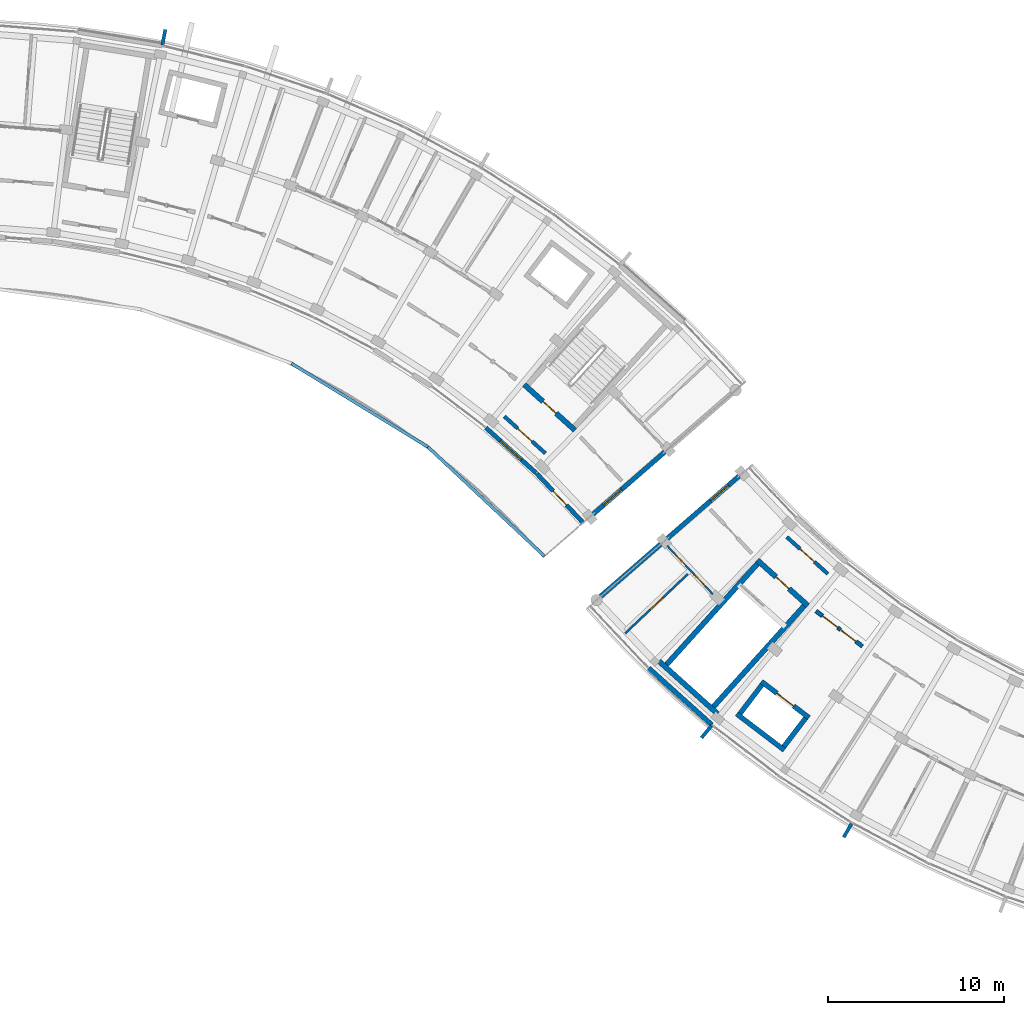
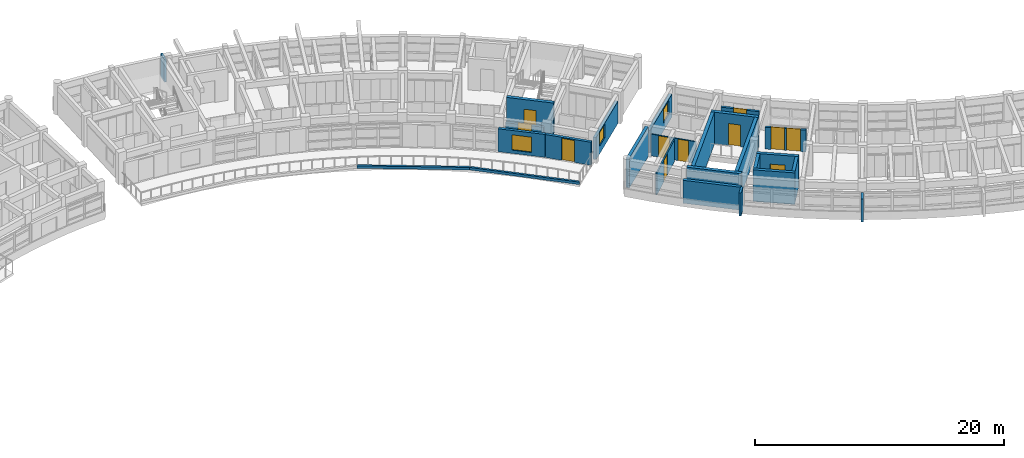
# One storey, part 24 of 38: 25 walls, 11 doors, 3 windows, 14 openings.
"""IFC4 building model written with IfcOpenShell, lengths in metres."""

from ifc_helpers import new_model, si_unit, direction, frame, frame_2d, origin, place, context, subcontext, project, spatial, rectangle, extrude, material, layer, layer_set, type_object, element, fill, save


model = new_model("IFC4")

# Units and contexts
model_context = context("Model", 3, precision=1e-05, world=origin(), true_north=direction((0.0, 1.0)))
body_context = subcontext(model_context, "Body", "Model", "MODEL_VIEW")
ifc_project = project(units=[si_unit("LENGTHUNIT", "METRE"), si_unit("AREAUNIT", "SQUARE_METRE"), si_unit("VOLUMEUNIT", "CUBIC_METRE"), si_unit("PLANEANGLEUNIT", "RADIAN"), si_unit("MASSUNIT", "GRAM", prefix="KILO")], contexts=[model_context])

# Site, building, storey
site_placement = place(None, origin())
site = spatial("IfcSite", under=ifc_project, at=site_placement, CompositionType="ELEMENT")
building_placement = place(site_placement, origin())
building = spatial("IfcBuilding", under=site, at=building_placement, Name="Zimvara Arc Housing Community", CompositionType="ELEMENT")
storey_placement = place(building_placement, frame((0.0, 0.0, 29.800048828125)))
storey = spatial("IfcBuildingStorey", under=building, at=storey_placement, Name="L09", CompositionType="ELEMENT", Elevation=29.800048828125)

# Wall, opening, window
ifc_material_1 = material(Name="Board-Marked Fair-Faced Concrete C35/45", Category="concrete")
ifc_layer_1 = layer(ifc_material_1, 0.2548828125)
ifc_layer_set_1 = layer_set([ifc_layer_1], Name="Board-Marked Fair-Faced Concrete C35/45")
wall_type_1 = type_object("IfcWallType", Name="EWL-CONC-255", PredefinedType="SOLIDWALL", material=ifc_layer_set_1)
wall_1_placement = place(storey_placement, frame((81.346923828125, 76.095703125, 0.0), z_axis=(0.0, 0.0, 1.0), x_axis=(0.754709658894, 0.65605893849, 0.0)))
wall_1 = element("IfcWall", 1, at=wall_1_placement, inside=storey, type_object=wall_type_1, Name="ewall:blkB:L09:gN", PredefinedType="SOLIDWALL", context=body_context, shape_type="SweptSolid", body=[
    extrude(rectangle(XDim=5.39990234375, YDim=0.2548828125, at=frame_2d((2.699951171875, 0.0))), origin(), (0.0, 0.0, 1.0), 2.179931640625),
])
opening_1_placement = place(wall_1_placement, frame((0.7900390625, 0.0, 0.75)))
opening_1 = element("IfcOpeningElement", 2, at=opening_1_placement, cuts=wall_1, Name="Opening W12", PredefinedType="OPENING", context=body_context, shape_type="SweptSolid", body=[
    extrude(rectangle(XDim=1.35009765625, YDim=1.35009765625, at=frame_2d((0.675048828125, 0.675048828125))), frame((0.0, 0.137451171875, 0.0), z_axis=(0.0, -1.0, 0.0), x_axis=(1.0, 0.0, 0.0)), (0.0, 0.0, 1.0), 0.27490234375),
])
ifc_material_2 = material(Name="Solar Control Low-E Double Glazing", Category="glass")
window_type_1 = type_object("IfcWindowType", Name="WIN-RES-1350x1350", PartitioningType="DOUBLE_PANEL_VERTICAL", PredefinedType="WINDOW", material=ifc_material_2)
window_1_placement = place(opening_1_placement, origin())
window_1 = element("IfcWindow", 3, at=window_1_placement, inside=storey, type_object=window_type_1, Name="win:blkB:L09:gN:w", OverallHeight=1.35009765625, OverallWidth=1.35009765625, PartitioningType="DOUBLE_PANEL_VERTICAL", PredefinedType="WINDOW", context=body_context, shape_type="SweptSolid", body=[
    extrude(rectangle(XDim=1.35009765625, YDim=1.35009765625, at=frame_2d((0.675048828125, 0.675048828125))), frame((0.0, 0.030029296875, 0.0), z_axis=(0.0, -1.0, 0.0), x_axis=(1.0, 0.0, 0.0)), (0.0, 0.0, 1.0), 0.06005859375),
])
fill(opening_1, window_1)

wall_2_placement = place(storey_placement, frame((89.63330078125, 78.26416015625, 0.0), z_axis=(0.0, 0.0, 1.0), x_axis=(-0.754709658894, -0.65605893849, 0.0)))
wall_2 = element("IfcWall", 4, at=wall_2_placement, inside=storey, type_object=wall_type_1, Name="ewall:blkC:L09:g0", PredefinedType="SOLIDWALL", context=body_context, shape_type="SweptSolid", body=[
    extrude(rectangle(XDim=5.39990234375, YDim=0.2548828125, at=frame_2d((2.699951171875, 0.0))), origin(), (0.0, 0.0, 1.0), 2.239990234375),
])
opening_2_placement = place(wall_2_placement, frame((0.7900390625, 0.0, 0.75)))
opening_2 = element("IfcOpeningElement", 5, at=opening_2_placement, cuts=wall_2, Name="Opening W12", PredefinedType="OPENING", context=body_context, shape_type="SweptSolid", body=[
    extrude(rectangle(XDim=1.35009765625, YDim=1.35009765625, at=frame_2d((0.675048828125, 0.675048828125))), frame((0.0, 0.137451171875, 0.0), z_axis=(0.0, -1.0, 0.0), x_axis=(1.0, 0.0, 0.0)), (0.0, 0.0, 1.0), 0.27490234375),
])
window_2_placement = place(opening_2_placement, origin())
window_2 = element("IfcWindow", 6, at=window_2_placement, inside=storey, type_object=window_type_1, Name="win:blkC:L09:g0:w", OverallHeight=1.35009765625, OverallWidth=1.35009765625, PartitioningType="DOUBLE_PANEL_VERTICAL", PredefinedType="WINDOW", context=body_context, shape_type="SweptSolid", body=[
    extrude(rectangle(XDim=1.35009765625, YDim=1.35009765625, at=frame_2d((0.675048828125, 0.675048828125))), frame((0.0, 0.030029296875, 0.0), z_axis=(0.0, -1.0, 0.0), x_axis=(1.0, 0.0, 0.0)), (0.0, 0.0, 1.0), 0.06005859375),
])
fill(opening_2, window_2)

# Walls
ifc_material_3 = material(Name="Board-Marked Fair-Faced Concrete C35/45", Category="concrete")
ifc_layer_2 = layer(ifc_material_3, 0.179931640625)
ifc_layer_set_2 = layer_set([ifc_layer_2], Name="Board-Marked Fair-Faced Concrete C35/45")
wall_type_2 = type_object("IfcWallType", Name="EWL-PARA-180", PredefinedType="PARAPET", material=ifc_layer_set_2)
wall_3_placement = place(storey_placement, frame((64.236572265625, 84.649658203125, 0.0), z_axis=(0.0, 0.0, 1.0), x_axis=(0.853089592587, -0.521764455496, 0.0)))
element("IfcWall", 7, at=wall_3_placement, inside=storey, type_object=wall_type_2, Name="parapet:blkB:L09:p10", PredefinedType="PARAPET", context=body_context, shape_type="SweptSolid", body=[
    extrude(rectangle(XDim=9.0751953125, YDim=0.179931640625, at=frame_2d((4.53759765625, 0.0))), origin(), (0.0, 0.0, 1.0), 0.25),
])
wall_4_placement = place(storey_placement, frame((71.978515625, 79.91455078125, 0.0), z_axis=(0.0, 0.0, 1.0), x_axis=(0.729564048979, -0.68391249326, 0.0)))
element("IfcWall", 8, at=wall_4_placement, inside=storey, type_object=wall_type_2, Name="parapet:blkB:L09:p15", PredefinedType="PARAPET", context=body_context, shape_type="SweptSolid", body=[
    extrude(rectangle(XDim=9.075439453125, YDim=0.179931640625, at=frame_2d((4.53759765625, 0.0))), origin(), (0.0, 0.0, 1.0), 0.25),
])
ifc_material_4 = material(Name="Board-Marked Fair-Faced Concrete C35/45", Category="concrete")
ifc_layer_3 = layer(ifc_material_4, 0.195068359375)
ifc_layer_set_3 = layer_set([ifc_layer_3], Name="Board-Marked Fair-Faced Concrete C35/45")
wall_type_3 = type_object("IfcWallType", Name="EWL-PARA-195", PredefinedType="PARAPET", material=ifc_layer_set_3)
for number, where, z_axis, x_axis, name in (
    (9, (56.907470703125, 102.714599609375, 0.0), (0.0, 0.0, 1.0), (0.200183211319, 0.979758481416, 0.0), "finwall:blkB:L09:out:b2"),
    (10, (88.072265625, 64.1025390625, 0.0), (0.0, 0.0, 1.0), (-0.637967316825, -0.770063440674, 0.0), "finwall:blkC:L09:out:b2"),
):
    element("IfcWall", number, at=place(storey_placement, frame(where, z_axis=z_axis, x_axis=x_axis)), inside=storey, type_object=wall_type_3, Name=name, PredefinedType="PARAPET", context=body_context, shape_type="SweptSolid", body=[
        extrude(rectangle(XDim=0.900146484375, YDim=0.195068359375, at=frame_2d((0.4501953125, 0.0))), origin(), (0.0, 0.0, 1.0), 2.25),
    ])
wall_5_placement = place(storey_placement, frame((96.018798828125, 58.546630859375, 0.0), z_axis=(0.0, 0.0, 1.0), x_axis=(-0.504005947934, -0.863700182035, 0.0)))
element("IfcWall", 11, at=wall_5_placement, inside=storey, type_object=wall_type_3, Name="finwall:blkC:L09:out:b4", PredefinedType="PARAPET", context=body_context, shape_type="SweptSolid", body=[
    extrude(rectangle(XDim=0.89990234375, YDim=0.195068359375, at=frame_2d((0.449951171875, 0.0))), origin(), (0.0, 0.0, 1.0), 2.25),
])

# Wall, opening, window
ifc_material_5 = material(Name="Pigmented Fair-Faced Concrete C35/45", Category="concrete")
ifc_layer_4 = layer(ifc_material_5, 0.2451171875)
ifc_layer_set_4 = layer_set([ifc_layer_4], Name="Pigmented Fair-Faced Concrete C35/45")
wall_type_4 = type_object("IfcWallType", Name="EWL-PIGM-245", PredefinedType="SOLIDWALL", material=ifc_layer_set_4)
wall_6_placement = place(storey_placement, frame((75.26708984375, 81.003173828125, 0.0), z_axis=(0.0, 0.0, 1.0), x_axis=(0.743363835609, -0.668887290886, 0.0)))
wall_6 = element("IfcWall", 12, at=wall_6_placement, inside=storey, type_object=wall_type_4, Name="ewall:blkB:L09:in:b8", PredefinedType="SOLIDWALL", context=body_context, shape_type="SweptSolid", body=[
    extrude(rectangle(XDim=3.83203125, YDim=0.2451171875, at=frame_2d((1.916015625, 0.0))), origin(), (0.0, 0.0, 1.0), 2.25),
])
opening_3_placement = place(wall_6_placement, frame((1.1162109375, 0.0, 0.320068359375)))
opening_3 = element("IfcOpeningElement", 13, at=opening_3_placement, cuts=wall_6, Name="Opening W03", PredefinedType="OPENING", context=body_context, shape_type="SweptSolid", body=[
    extrude(rectangle(XDim=1.60009765625, YDim=1.5, at=frame_2d((0.800048828125, 0.75))), frame((0.0, 0.132568359375, 0.0), z_axis=(0.0, -1.0, 0.0), x_axis=(1.0, 0.0, 0.0)), (0.0, 0.0, 1.0), 0.26513671875),
])
ifc_material_6 = material(Name="Solar Control Low-E Double Glazing", Category="glass")
window_type_2 = type_object("IfcWindowType", Name="WIN-RES-1600x1500", PartitioningType="DOUBLE_PANEL_VERTICAL", PredefinedType="WINDOW", material=ifc_material_6)
window_3_placement = place(opening_3_placement, origin())
window_3 = element("IfcWindow", 14, at=window_3_placement, inside=storey, type_object=window_type_2, Name="win:blkB:L09:in:b8", OverallHeight=1.5, OverallWidth=1.60009765625, PartitioningType="DOUBLE_PANEL_VERTICAL", PredefinedType="WINDOW", context=body_context, shape_type="SweptSolid", body=[
    extrude(rectangle(XDim=1.60009765625, YDim=1.5, at=frame_2d((0.800048828125, 0.75))), frame((0.0, 0.030029296875, 0.0), z_axis=(0.0, -1.0, 0.0), x_axis=(1.0, 0.0, 0.0)), (0.0, 0.0, 1.0), 0.06005859375),
])
fill(opening_3, window_3)

# Wall, opening, door
wall_7_placement = place(storey_placement, frame((78.14453125, 78.412109375, 0.0), z_axis=(0.0, 0.0, 1.0), x_axis=(0.686296103853, -0.727322251712, 0.0)))
wall_7 = element("IfcWall", 15, at=wall_7_placement, inside=storey, type_object=wall_type_4, Name="ewall:blkB:L09:in:b9", PredefinedType="SOLIDWALL", context=body_context, shape_type="SweptSolid", body=[
    extrude(rectangle(XDim=3.832275390625, YDim=0.2451171875, at=frame_2d((1.916015625, 0.0))), origin(), (0.0, 0.0, 1.0), 2.25),
])
opening_4_placement = place(wall_7_placement, frame((1.3662109375, 0.0, 0.0)))
opening_4 = element("IfcOpeningElement", 16, at=opening_4_placement, cuts=wall_7, Name="Opening ED06", PredefinedType="OPENING", context=body_context, shape_type="SweptSolid", body=[
    extrude(rectangle(XDim=1.10009765625, YDim=2.14990234375, at=frame_2d((0.550048828125, 1.074951171875))), frame((0.0, 0.132568359375, 0.0), z_axis=(0.0, -1.0, 0.0), x_axis=(1.0, 0.0, 0.0)), (0.0, 0.0, 1.0), 0.26513671875),
])
ifc_material_7 = material(Name="Anodised Aluminium AW-6063", Category="aluminium")
door_type_1 = type_object("IfcDoorType", Name="EDR-TERR-1100x2150", OperationType="NOTDEFINED", PredefinedType="DOOR", material=ifc_material_7)
door_1_placement = place(opening_4_placement, origin())
door_1 = element("IfcDoor", 17, at=door_1_placement, inside=storey, type_object=door_type_1, Name="edoor:blkB:L09:terr:b9", OperationType="SINGLE_SWING_LEFT", OverallHeight=2.14990234375, OverallWidth=1.10009765625, PredefinedType="DOOR", context=body_context, shape_type="SweptSolid", body=[
    extrude(rectangle(XDim=1.10009765625, YDim=2.14990234375, at=frame_2d((0.550048828125, 1.074951171875))), frame((0.0, 0.02490234375, 0.0), z_axis=(0.0, -1.0, 0.0), x_axis=(1.0, 0.0, 0.0)), (0.0, 0.0, 1.0), 0.050048828125),
])
fill(opening_4, door_1)

# Wall
ifc_material_8 = material(Name="Board-Marked Fair-Faced Concrete C35/45", Category="concrete")
ifc_layer_5 = layer(ifc_material_8, 0.278076171875)
ifc_layer_set_5 = layer_set([ifc_layer_5], Name="Board-Marked Fair-Faced Concrete C35/45")
wall_type_5 = type_object("IfcWallType", Name="EWL-VAR-23", PredefinedType="SOLIDWALL", material=ifc_layer_set_5)
wall_8_placement = place(storey_placement, frame((84.508056640625, 67.36328125, 0.0), z_axis=(0.0, 0.0, 1.0), x_axis=(0.743387539862, -0.668860946369, 0.0)))
element("IfcWall", 18, at=wall_8_placement, inside=storey, type_object=wall_type_5, Name="ewall:blkC:L09:out:b1", PredefinedType="SOLIDWALL", context=body_context, shape_type="SweptSolid", body=[
    extrude(rectangle(XDim=4.80908203125, YDim=0.278076171875, at=frame_2d((2.404541015625, 0.0))), origin(), (0.0, 0.0, 1.0), 2.25),
])

# Wall, opening, door
ifc_material_9 = material(Name="Concrete C35/45", Category="concrete")
ifc_layer_6 = layer(ifc_material_9, 0.2099609375)
ifc_layer_set_6 = layer_set([ifc_layer_6], Name="Concrete C35/45")
wall_type_6 = type_object("IfcWallType", Name="IWL-CCF-210", PredefinedType="SOLIDWALL", material=ifc_layer_set_6)
wall_9_placement = place(storey_placement, frame((76.317138671875, 81.644287109375, 0.0), z_axis=(0.0, 0.0, 1.0), x_axis=(0.743387266925, -0.668861249718, 0.0)))
wall_9 = element("IfcWall", 19, at=wall_9_placement, inside=storey, type_object=wall_type_6, Name="iwall:blkB:L09:ccf_div:b8", PredefinedType="SOLIDWALL", context=body_context, shape_type="SweptSolid", body=[
    extrude(rectangle(XDim=3.12841796875, YDim=0.2099609375, at=frame_2d((1.564208984375, 0.0))), origin(), (0.0, 0.0, 1.0), 2.079833984375),
])
opening_5_placement = place(wall_9_placement, frame((1.014404296875, 0.0, 0.0)))
opening_5 = element("IfcOpeningElement", 20, at=opening_5_placement, cuts=wall_9, Name="Opening FD-CCF1", PredefinedType="OPENING", context=body_context, shape_type="SweptSolid", body=[
    extrude(rectangle(XDim=1.10009765625, YDim=2.14990234375, at=frame_2d((0.550048828125, 1.074951171875))), frame((0.0, 0.114990234375, 0.0), z_axis=(0.0, -1.0, 0.0), x_axis=(1.0, 0.0, 0.0)), (0.0, 0.0, 1.0), 0.22998046875),
])
ifc_material_10 = material(Name="Anodised Aluminium AW-6063", Category="aluminium")
door_type_2 = type_object("IfcDoorType", Name="IDR-CCF-1100x2150", OperationType="NOTDEFINED", PredefinedType="DOOR", material=ifc_material_10)
door_2_placement = place(opening_5_placement, origin())
door_2 = element("IfcDoor", 21, at=door_2_placement, inside=storey, type_object=door_type_2, Name="idoor:blkB:L09:ccf_in:b8", OperationType="SINGLE_SWING_RIGHT", OverallHeight=2.14990234375, OverallWidth=1.10009765625, PredefinedType="DOOR", context=body_context, shape_type="SweptSolid", body=[
    extrude(rectangle(XDim=1.10009765625, YDim=2.14990234375, at=frame_2d((0.550048828125, 1.074951171875))), frame((0.0, 0.02490234375, 0.0), z_axis=(0.0, -1.0, 0.0), x_axis=(1.0, 0.0, 0.0)), (0.0, 0.0, 1.0), 0.050048828125),
])
fill(opening_5, door_2)

wall_10_placement = place(storey_placement, frame((92.337158203125, 74.808349609375, 0.0), z_axis=(0.0, 0.0, 1.0), x_axis=(0.743348465558, -0.668904371904, 0.0)))
wall_10 = element("IfcWall", 22, at=wall_10_placement, inside=storey, type_object=wall_type_6, Name="iwall:blkC:L09:ccf_div:b1", PredefinedType="SOLIDWALL", context=body_context, shape_type="SweptSolid", body=[
    extrude(rectangle(XDim=3.128662109375, YDim=0.2099609375, at=frame_2d((1.564453125, 0.0))), origin(), (0.0, 0.0, 1.0), 2.139892578125),
])
opening_6_placement = place(wall_10_placement, frame((1.014404296875, 0.0, 0.0)))
opening_6 = element("IfcOpeningElement", 23, at=opening_6_placement, cuts=wall_10, Name="Opening FD-CCF1", PredefinedType="OPENING", context=body_context, shape_type="SweptSolid", body=[
    extrude(rectangle(XDim=1.10009765625, YDim=2.14990234375, at=frame_2d((0.550048828125, 1.074951171875))), frame((0.0, 0.114990234375, 0.0), z_axis=(0.0, -1.0, 0.0), x_axis=(1.0, 0.0, 0.0)), (0.0, 0.0, 1.0), 0.22998046875),
])
door_3_placement = place(opening_6_placement, origin())
door_3 = element("IfcDoor", 24, at=door_3_placement, inside=storey, type_object=door_type_2, Name="idoor:blkC:L09:ccf_in:b1", OperationType="SINGLE_SWING_RIGHT", OverallHeight=2.14990234375, OverallWidth=1.10009765625, PredefinedType="DOOR", context=body_context, shape_type="SweptSolid", body=[
    extrude(rectangle(XDim=1.10009765625, YDim=2.14990234375, at=frame_2d((0.550048828125, 1.074951171875))), frame((0.0, 0.02490234375, 0.0), z_axis=(0.0, -1.0, 0.0), x_axis=(1.0, 0.0, 0.0)), (0.0, 0.0, 1.0), 0.050048828125),
])
fill(opening_6, door_3)

# Wall, openings, doors
wall_11_placement = place(storey_placement, frame((94.001220703125, 70.6015625, 0.0), z_axis=(0.0, 0.0, 1.0), x_axis=(0.795498026433, -0.605956178235, 0.0)))
wall_11 = element("IfcWall", 25, at=wall_11_placement, inside=storey, type_object=wall_type_6, Name="iwall:blkC:L09:ll_div:b2", PredefinedType="SOLIDWALL", context=body_context, shape_type="SweptSolid", body=[
    extrude(rectangle(XDim=3.296142578125, YDim=0.2099609375, at=frame_2d((1.64794921875, 0.0))), origin(), (0.0, 0.0, 1.0), 2.139892578125),
])
opening_7_placement = place(wall_11_placement, frame((0.449951171875, 0.0, 0.0)))
opening_7 = element("IfcOpeningElement", 26, at=opening_7_placement, cuts=wall_11, Name="Opening FD-CCF1", PredefinedType="OPENING", context=body_context, shape_type="SweptSolid", body=[
    extrude(rectangle(XDim=1.10009765625, YDim=2.14990234375, at=frame_2d((0.550048828125, 1.074951171875))), frame((0.0, 0.114990234375, 0.0), z_axis=(0.0, -1.0, 0.0), x_axis=(1.0, 0.0, 0.0)), (0.0, 0.0, 1.0), 0.22998046875),
])
opening_8_placement = place(wall_11_placement, frame((1.72607421875, 0.0, 0.0)))
opening_8 = element("IfcOpeningElement", 27, at=opening_8_placement, cuts=wall_11, Name="Opening D07", PredefinedType="OPENING", context=body_context, shape_type="SweptSolid", body=[
    extrude(rectangle(XDim=1.1201171875, YDim=2.14990234375, at=frame_2d((0.56005859375, 1.074951171875))), frame((0.0, 0.114990234375, 0.0), z_axis=(0.0, -1.0, 0.0), x_axis=(1.0, 0.0, 0.0)), (0.0, 0.0, 1.0), 0.22998046875),
])
ifc_material_11 = material(Name="Mozambican Hardwood", Category="wood")
door_type_3 = type_object("IfcDoorType", Name="IDR-AMN-1120x2150", OperationType="NOTDEFINED", PredefinedType="DOOR", material=ifc_material_11)
door_4_placement = place(opening_8_placement, origin())
door_4 = element("IfcDoor", 28, at=door_4_placement, inside=storey, type_object=door_type_3, Name="idoor:blkC:L09:rs_in:b2", OperationType="SINGLE_SWING_RIGHT", OverallHeight=2.14990234375, OverallWidth=1.1201171875, PredefinedType="DOOR", context=body_context, shape_type="SweptSolid", body=[
    extrude(rectangle(XDim=1.1201171875, YDim=2.14990234375, at=frame_2d((0.56005859375, 1.074951171875))), frame((0.0, 0.02490234375, 0.0), z_axis=(0.0, -1.0, 0.0), x_axis=(1.0, 0.0, 0.0)), (0.0, 0.0, 1.0), 0.050048828125),
])
fill(opening_8, door_4)
door_5_placement = place(opening_7_placement, origin())
door_5 = element("IfcDoor", 29, at=door_5_placement, inside=storey, type_object=door_type_2, Name="idoor:blkC:L09:ll_in:b2", OperationType="SINGLE_SWING_LEFT", OverallHeight=2.14990234375, OverallWidth=1.10009765625, PredefinedType="DOOR", context=body_context, shape_type="SweptSolid", body=[
    extrude(rectangle(XDim=1.10009765625, YDim=2.14990234375, at=frame_2d((0.550048828125, 1.074951171875))), frame((0.0, 0.02490234375, 0.0), z_axis=(0.0, -1.0, 0.0), x_axis=(1.0, 0.0, 0.0)), (0.0, 0.0, 1.0), 0.050048828125),
])
fill(opening_7, door_5)

ifc_material_12 = material(Name="Painted Acoustic Plasterboard")
ifc_layer_7 = layer(ifc_material_12, 0.10009765625)
ifc_layer_set_7 = layer_set([ifc_layer_7], Name="Painted Acoustic Plasterboard")
wall_type_7 = type_object("IfcWallType", Name="IWL-PART-100", PredefinedType="PARTITIONING", material=ifc_layer_set_7)
wall_12_placement = place(storey_placement, frame((85.544677734375, 74.31298828125, 0.0), z_axis=(0.0, 0.0, 1.0), x_axis=(0.686332741542, -0.727287678906, 0.0)))
wall_12 = element("IfcWall", 30, at=wall_12_placement, inside=storey, type_object=wall_type_7, Name="iwall:blkC:L09:srv:b0", PredefinedType="PARTITIONING", context=body_context, shape_type="SweptSolid", body=[
    extrude(rectangle(XDim=3.79736328125, YDim=0.10009765625, at=frame_2d((1.898681640625, 0.0))), origin(), (0.0, 0.0, 1.0), 2.139892578125),
])
opening_9_placement = place(wall_12_placement, frame((0.64990234375, 0.0, 0.0)))
opening_9 = element("IfcOpeningElement", 31, at=opening_9_placement, cuts=wall_12, Name="Opening D01", PredefinedType="OPENING", context=body_context, shape_type="SweptSolid", body=[
    extrude(rectangle(XDim=0.89990234375, YDim=2.10009765625, at=frame_2d((0.449951171875, 1.050048828125))), frame((0.0, 0.06005859375, 0.0), z_axis=(0.0, -1.0, 0.0), x_axis=(1.0, 0.0, 0.0)), (0.0, 0.0, 1.0), 0.1201171875),
])
opening_10_placement = place(wall_12_placement, frame((2.267333984375, 0.0, 0.0)))
opening_10 = element("IfcOpeningElement", 32, at=opening_10_placement, cuts=wall_12, Name="Opening D05", PredefinedType="OPENING", context=body_context, shape_type="SweptSolid", body=[
    extrude(rectangle(XDim=0.8798828125, YDim=2.10009765625, at=frame_2d((0.43994140625, 1.050048828125))), frame((0.0, 0.06005859375, 0.0), z_axis=(0.0, -1.0, 0.0), x_axis=(1.0, 0.0, 0.0)), (0.0, 0.0, 1.0), 0.1201171875),
])
ifc_material_13 = material(Name="Mozambican Hardwood", Category="wood")
door_type_4 = type_object("IfcDoorType", Name="IDR-RM-0900x2100", OperationType="NOTDEFINED", PredefinedType="DOOR", material=ifc_material_13)
door_6_placement = place(opening_9_placement, origin())
door_6 = element("IfcDoor", 33, at=door_6_placement, inside=storey, type_object=door_type_4, Name="idoor:blkC:L09:kit_liv:b0", OperationType="SINGLE_SWING_LEFT", OverallHeight=2.10009765625, OverallWidth=0.89990234375, PredefinedType="DOOR", context=body_context, shape_type="SweptSolid", body=[
    extrude(rectangle(XDim=0.89990234375, YDim=2.10009765625, at=frame_2d((0.449951171875, 1.050048828125))), frame((0.0, 0.02490234375, 0.0), z_axis=(0.0, -1.0, 0.0), x_axis=(1.0, 0.0, 0.0)), (0.0, 0.0, 1.0), 0.050048828125),
])
fill(opening_9, door_6)
ifc_material_14 = material(Name="Mozambican Hardwood", Category="wood")
door_type_5 = type_object("IfcDoorType", Name="IDR-WC-0880x2100", OperationType="NOTDEFINED", PredefinedType="DOOR", material=ifc_material_14)
door_7_placement = place(opening_10_placement, origin())
door_7 = element("IfcDoor", 34, at=door_7_placement, inside=storey, type_object=door_type_5, Name="idoor:blkC:L09:bath_d:b0", OperationType="SINGLE_SWING_RIGHT", OverallHeight=2.10009765625, OverallWidth=0.8798828125, PredefinedType="DOOR", context=body_context, shape_type="SweptSolid", body=[
    extrude(rectangle(XDim=0.8798828125, YDim=2.10009765625, at=frame_2d((0.43994140625, 1.050048828125))), frame((0.0, 0.02490234375, 0.0), z_axis=(0.0, -1.0, 0.0), x_axis=(1.0, 0.0, 0.0)), (0.0, 0.0, 1.0), 0.050048828125),
])
fill(opening_10, door_7)

# Wall, opening, door
ifc_material_15 = material(Name="Painted Acoustic Plasterboard")
ifc_layer_8 = layer(ifc_material_15, 0.1201171875)
ifc_layer_set_8 = layer_set([ifc_layer_8], Name="Painted Acoustic Plasterboard")
wall_type_8 = type_object("IfcWallType", Name="IWL-PART-120", PredefinedType="PARTITIONING", material=ifc_layer_set_8)
wall_13_placement = place(storey_placement, frame((86.725830078125, 72.704833984375, 0.0), z_axis=(0.0, 0.0, 1.0), x_axis=(-0.726270746475, -0.687408759629, 0.0)))
wall_13 = element("IfcWall", 35, at=wall_13_placement, inside=storey, type_object=wall_type_8, Name="iwall:blkC:L09:bed_div:b0", PredefinedType="PARTITIONING", context=body_context, shape_type="SweptSolid", body=[
    extrude(rectangle(XDim=4.900146484375, YDim=0.1201171875, at=frame_2d((2.4501953125, 0.0))), origin(), (0.0, 0.0, 1.0), 2.139892578125),
])
opening_11_placement = place(wall_13_placement, frame((1.965087890625, 0.0, 0.0)))
opening_11 = element("IfcOpeningElement", 36, at=opening_11_placement, cuts=wall_13, Name="Opening D14", PredefinedType="OPENING", context=body_context, shape_type="SweptSolid", body=[
    extrude(rectangle(XDim=0.969970703125, YDim=2.10009765625, at=frame_2d((0.48486328125, 1.050048828125))), frame((0.0, 0.070068359375, 0.0), z_axis=(0.0, -1.0, 0.0), x_axis=(1.0, 0.0, 0.0)), (0.0, 0.0, 1.0), 0.14013671875),
])
ifc_material_16 = material(Name="Mozambican Hardwood", Category="wood")
door_type_6 = type_object("IfcDoorType", Name="IDR-MOD-970x2080", OperationType="NOTDEFINED", PredefinedType="DOOR", material=ifc_material_16)
door_8_placement = place(opening_11_placement, origin())
door_8 = element("IfcDoor", 37, at=door_8_placement, inside=storey, type_object=door_type_6, Name="idoor:blkC:L09:bed_d:b0", OperationType="SINGLE_SWING_LEFT", OverallHeight=2.10009765625, OverallWidth=0.969970703125, PredefinedType="DOOR", context=body_context, shape_type="SweptSolid", body=[
    extrude(rectangle(XDim=0.969970703125, YDim=2.10009765625, at=frame_2d((0.48486328125, 1.050048828125))), frame((0.0, 0.02490234375, 0.0), z_axis=(0.0, -1.0, 0.0), x_axis=(1.0, 0.0, 0.0)), (0.0, 0.0, 1.0), 0.050048828125),
])
fill(opening_11, door_8)

ifc_material_17 = material(Name="Concrete C40/50", Category="concrete")
ifc_layer_9 = layer(ifc_material_17, 0.280029296875)
ifc_layer_set_9 = layer_set([ifc_layer_9], Name="Concrete C40/50")
wall_type_9 = type_object("IfcWallType", Name="WL-CORE-280", PredefinedType="SHEAR", material=ifc_layer_set_9)
wall_14_placement = place(storey_placement, frame((90.8994140625, 66.607177734375, 0.0), z_axis=(0.0, 0.0, 1.0), x_axis=(0.795439986025, -0.606032365994, 0.0)))
wall_14 = element("IfcWall", 38, at=wall_14_placement, inside=storey, type_object=wall_type_9, Name="lwall:LF-C1:L09:front", PredefinedType="SHEAR", context=body_context, shape_type="SweptSolid", body=[
    extrude(rectangle(XDim=3.389892578125, YDim=0.280029296875, at=frame_2d((1.69482421875, 0.0))), origin(), (0.0, 0.0, 1.0), 3.099853515625),
])
opening_12_placement = place(wall_14_placement, frame((1.094970703125, 0.0, 0.0)))
opening_12 = element("IfcOpeningElement", 39, at=opening_12_placement, cuts=wall_14, Name="Opening LD-LF-C1", PredefinedType="OPENING", context=body_context, shape_type="SweptSolid", body=[
    extrude(rectangle(XDim=1.199951171875, YDim=2.14990234375, at=frame_2d((0.60009765625, 1.074951171875))), frame((0.0, 0.14990234375, 0.0), z_axis=(0.0, -1.0, 0.0), x_axis=(1.0, 0.0, 0.0)), (0.0, 0.0, 1.0), 0.300048828125),
])
ifc_material_18 = material(Name="Anodised Aluminium AW-6063", Category="aluminium")
door_type_7 = type_object("IfcDoorType", Name="IDR-LD-1200x2150", OperationType="DOUBLE_DOOR_SLIDING", PredefinedType="DOOR", material=ifc_material_18)
door_9_placement = place(opening_12_placement, origin())
door_9 = element("IfcDoor", 40, at=door_9_placement, inside=storey, type_object=door_type_7, Name="Lift LF-C1 Sliding Landing Door L09", OperationType="DOUBLE_DOOR_SLIDING", OverallHeight=2.14990234375, OverallWidth=1.199951171875, PredefinedType="DOOR", context=body_context, shape_type="SweptSolid", body=[
    extrude(rectangle(XDim=1.199951171875, YDim=2.14990234375, at=frame_2d((0.60009765625, 1.074951171875))), frame((0.0, 0.02490234375, 0.0), z_axis=(0.0, -1.0, 0.0), x_axis=(1.0, 0.0, 0.0)), (0.0, 0.0, 1.0), 0.050048828125),
])
fill(opening_12, door_9)

# Walls
wall_15_placement = place(storey_placement, frame((89.49951171875, 64.76953125, 0.0), z_axis=(0.0, 0.0, 1.0), x_axis=(0.795474703455, -0.605986795371, 0.0)))
element("IfcWall", 41, at=wall_15_placement, inside=storey, type_object=wall_type_9, Name="lwall:LF-C1:L09:back", PredefinedType="SHEAR", context=body_context, shape_type="SweptSolid", body=[
    extrude(rectangle(XDim=3.389892578125, YDim=0.280029296875, at=frame_2d((1.69482421875, 0.0))), origin(), (0.0, 0.0, 1.0), 3.099853515625),
])
wall_16_placement = place(storey_placement, frame((90.92578125, 66.410888671875, 0.0), z_axis=(0.0, 0.0, 1.0), x_axis=(-0.605948992168, -0.795503500238, 0.0)))
element("IfcWall", 42, at=wall_16_placement, inside=storey, type_object=wall_type_9, Name="lwall:LF-C1:L09:left", PredefinedType="SHEAR", context=body_context, shape_type="SweptSolid", body=[
    extrude(rectangle(XDim=2.02978515625, YDim=0.280029296875, at=frame_2d((1.014892578125, 0.0))), origin(), (0.0, 0.0, 1.0), 3.099853515625),
])
wall_17_placement = place(storey_placement, frame((93.399658203125, 64.5263671875, 0.0), z_axis=(0.0, 0.0, 1.0), x_axis=(-0.605891019062, -0.795547656033, 0.0)))
element("IfcWall", 43, at=wall_17_placement, inside=storey, type_object=wall_type_9, Name="lwall:LF-C1:L09:right", PredefinedType="SHEAR", context=body_context, shape_type="SweptSolid", body=[
    extrude(rectangle(XDim=2.030029296875, YDim=0.280029296875, at=frame_2d((1.01513671875, 0.0))), origin(), (0.0, 0.0, 1.0), 3.099853515625),
])

# Wall, opening, door
ifc_material_19 = material(Name="Concrete C40/50", Category="concrete")
ifc_layer_10 = layer(ifc_material_19, 0.300048828125)
ifc_layer_set_10 = layer_set([ifc_layer_10], Name="Concrete C40/50")
wall_type_10 = type_object("IfcWallType", Name="WL-CORE-300", PredefinedType="SHEAR", material=ifc_layer_set_10)
wall_18_placement = place(storey_placement, frame((80.320068359375, 80.861572265625, 0.0), z_axis=(0.0, 0.0, 1.0), x_axis=(-0.743375696158, 0.668874109501, 0.0)))
wall_18 = element("IfcWall", 44, at=wall_18_placement, inside=storey, type_object=wall_type_10, Name="cwall:ST-B2:L09:near", PredefinedType="SHEAR", context=body_context, shape_type="SweptSolid", body=[
    extrude(rectangle(XDim=3.8701171875, YDim=0.300048828125, at=frame_2d((1.93505859375, 0.0))), origin(), (0.0, 0.0, 1.0), 3.099853515625),
])
opening_13_placement = place(wall_18_placement, frame((1.43505859375, 0.0, 0.0)))
opening_13 = element("IfcOpeningElement", 45, at=opening_13_placement, cuts=wall_18, Name="Opening FD-ST1", PredefinedType="OPENING", context=body_context, shape_type="SweptSolid", body=[
    extrude(rectangle(XDim=1.0, YDim=2.14990234375, at=frame_2d((0.5, 1.074951171875))), frame((0.0, 0.159912109375, 0.0), z_axis=(0.0, -1.0, 0.0), x_axis=(1.0, 0.0, 0.0)), (0.0, 0.0, 1.0), 0.320068359375),
])
ifc_material_20 = material(Name="Anodised Aluminium AW-6063", Category="aluminium")
door_type_8 = type_object("IfcDoorType", Name="IDR-ST-1000x2150", OperationType="NOTDEFINED", PredefinedType="DOOR", material=ifc_material_20)
door_10_placement = place(opening_13_placement, origin())
door_10 = element("IfcDoor", 46, at=door_10_placement, inside=storey, type_object=door_type_8, Name="idoor:ST-B2:L09:entry", OperationType="SINGLE_SWING_LEFT", OverallHeight=2.14990234375, OverallWidth=1.0, PredefinedType="DOOR", context=body_context, shape_type="SweptSolid", body=[
    extrude(rectangle(XDim=1.0, YDim=2.14990234375, at=frame_2d((0.5, 1.074951171875))), frame((0.0, 0.02490234375, 0.0), z_axis=(0.0, -1.0, 0.0), x_axis=(1.0, 0.0, 0.0)), (0.0, 0.0, 1.0), 0.050048828125),
])
fill(opening_13, door_10)

wall_19_placement = place(storey_placement, frame((90.659912109375, 73.49853515625, 0.0), z_axis=(0.0, 0.0, 1.0), x_axis=(0.743375696158, -0.668874109501, 0.0)))
wall_19 = element("IfcWall", 47, at=wall_19_placement, inside=storey, type_object=wall_type_10, Name="cwall:ST-C1:L09:near", PredefinedType="SHEAR", context=body_context, shape_type="SweptSolid", body=[
    extrude(rectangle(XDim=3.8701171875, YDim=0.300048828125, at=frame_2d((1.93505859375, 0.0))), origin(), (0.0, 0.0, 1.0), 3.099853515625),
])
opening_14_placement = place(wall_19_placement, frame((1.43505859375, 0.0, 0.0)))
opening_14 = element("IfcOpeningElement", 48, at=opening_14_placement, cuts=wall_19, Name="Opening FD-ST1", PredefinedType="OPENING", context=body_context, shape_type="SweptSolid", body=[
    extrude(rectangle(XDim=1.0, YDim=2.14990234375, at=frame_2d((0.5, 1.074951171875))), frame((0.0, 0.159912109375, 0.0), z_axis=(0.0, -1.0, 0.0), x_axis=(1.0, 0.0, 0.0)), (0.0, 0.0, 1.0), 0.320068359375),
])
door_11_placement = place(opening_14_placement, origin())
door_11 = element("IfcDoor", 49, at=door_11_placement, inside=storey, type_object=door_type_8, Name="idoor:ST-C1:L09:entry", OperationType="SINGLE_SWING_LEFT", OverallHeight=2.14990234375, OverallWidth=1.0, PredefinedType="DOOR", context=body_context, shape_type="SweptSolid", body=[
    extrude(rectangle(XDim=1.0, YDim=2.14990234375, at=frame_2d((0.5, 1.074951171875))), frame((0.0, 0.02490234375, 0.0), z_axis=(0.0, -1.0, 0.0), x_axis=(1.0, 0.0, 0.0)), (0.0, 0.0, 1.0), 0.050048828125),
])
fill(opening_14, door_11)

# Walls
wall_20_placement = place(storey_placement, frame((85.092529296875, 67.759521484375, 0.0), z_axis=(0.0, 0.0, 1.0), x_axis=(0.743372896184, -0.668877221333, 0.0)))
element("IfcWall", 50, at=wall_20_placement, inside=storey, type_object=wall_type_10, Name="cwall:ST-C1:L09:far", PredefinedType="SHEAR", context=body_context, shape_type="SweptSolid", body=[
    extrude(rectangle(XDim=4.47021484375, YDim=0.300048828125, at=frame_2d((2.235107421875, 0.0))), origin(), (0.0, 0.0, 1.0), 3.099853515625),
])
wall_21_placement = place(storey_placement, frame((90.671142578125, 73.28662109375, 0.0), z_axis=(0.0, 0.0, 1.0), x_axis=(-0.668885797871, -0.743365179038, 0.0)))
element("IfcWall", 51, at=wall_21_placement, inside=storey, type_object=wall_type_10, Name="cwall:ST-C1:L09:left", PredefinedType="SHEAR", context=body_context, shape_type="SweptSolid", body=[
    extrude(rectangle(XDim=7.690185546875, YDim=0.300048828125, at=frame_2d((3.84521484375, 0.0))), origin(), (0.0, 0.0, 1.0), 3.099853515625),
])
wall_22_placement = place(storey_placement, frame((93.324951171875, 70.898681640625, 0.0), z_axis=(0.0, 0.0, 1.0), x_axis=(-0.668868253964, -0.743380964808, 0.0)))
element("IfcWall", 52, at=wall_22_placement, inside=storey, type_object=wall_type_10, Name="cwall:ST-C1:L09:right", PredefinedType="SHEAR", context=body_context, shape_type="SweptSolid", body=[
    extrude(rectangle(XDim=7.68994140625, YDim=0.300048828125, at=frame_2d((3.844970703125, 0.0))), origin(), (0.0, 0.0, 1.0), 3.099853515625),
])
ifc_material_21 = material(Name="Concrete C40/50", Category="concrete")
ifc_layer_11 = layer(ifc_material_21, 0.27001953125)
ifc_layer_set_11 = layer_set([ifc_layer_11], Name="Concrete C40/50")
wall_type_11 = type_object("IfcWallType", Name="WL-SHEAR-270", PredefinedType="SHEAR", material=ifc_layer_set_11)
wall_23_placement = place(storey_placement, frame((85.24072265625, 74.446044921875, 0.0), z_axis=(0.0, 0.0, 1.0), x_axis=(-0.754703505217, -0.65606601742, 0.0)))
element("IfcWall", 53, at=wall_23_placement, inside=storey, type_object=wall_type_11, Name="swall:blkC:L09:west", PredefinedType="SHEAR", context=body_context, shape_type="SweptSolid", body=[
    extrude(rectangle(XDim=4.719970703125, YDim=0.27001953125, at=frame_2d((2.35986328125, 0.0))), origin(), (0.0, 0.0, 1.0), 2.919921875),
])

save(model, "model.ifc")
